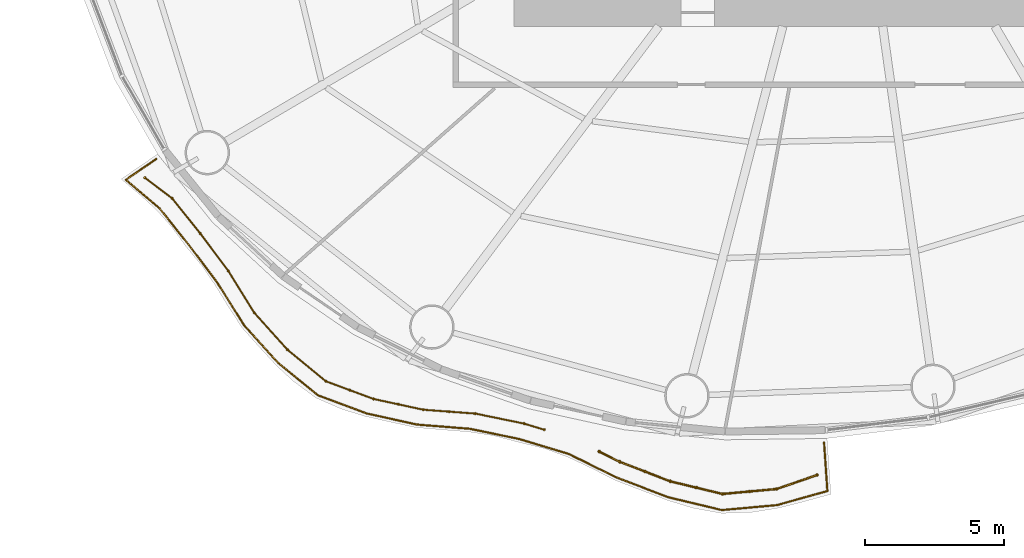
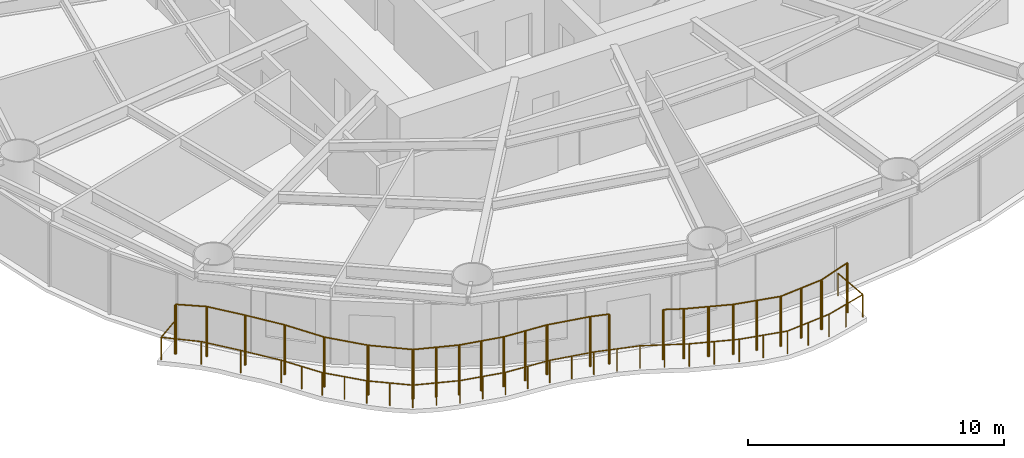
# One storey, part 11 of 16: 3 railings.
"""IFC4 building model written with IfcOpenShell, lengths in metres."""

from ifc_helpers import new_model, si_unit, direction, frame, origin, origin_2d, place, context, subcontext, project, spatial, circle, extrude, material, type_object, element, save


model = new_model("IFC4")

# Units and contexts
model_context = context("Model", 3, precision=1e-05, world=origin(), true_north=direction((0.0, 1.0)))
body_context = subcontext(model_context, "Body", "Model", "MODEL_VIEW")
ifc_project = project(units=[si_unit("LENGTHUNIT", "METRE"), si_unit("AREAUNIT", "SQUARE_METRE"), si_unit("VOLUMEUNIT", "CUBIC_METRE"), si_unit("PLANEANGLEUNIT", "RADIAN"), si_unit("MASSUNIT", "GRAM", prefix="KILO")], contexts=[model_context])

# Site, building, storey
site_placement = place(None, origin())
site = spatial("IfcSite", under=ifc_project, at=site_placement, CompositionType="ELEMENT")
building_placement = place(site_placement, origin())
building = spatial("IfcBuilding", under=site, at=building_placement, Name="Vermilion Reach Broadcast Tower", CompositionType="ELEMENT")
storey_placement = place(building_placement, frame((0.0, 0.0, 99.39990234375)))
storey = spatial("IfcBuildingStorey", under=building, at=storey_placement, Name="L22", CompositionType="ELEMENT", Elevation=99.39990234375)

# Railings
ifc_material_1 = material(Name="Terracotta baguette", Category="masonry")
railing_type_1 = type_object("IfcRailingType", Name="BAGUETTE SCREEN", PredefinedType="USERDEFINED", material=ifc_material_1)
railing_1_placement = place(storey_placement, frame((-31.285888671875, -14.45166015625, 0.0)))
element("IfcRailing", 1, at=railing_1_placement, inside=storey, type_object=railing_type_1, Name="Baguette screen L22 group 3 part 1", ObjectType="BAGUETTE SCREEN", PredefinedType="USERDEFINED", context=body_context, shape_type="SweptSolid", body=[
    extrude(circle(Radius=0.030029296875, at=origin_2d()), frame((0.0, 0.0, 2.369873046875), z_axis=(0.797512365612, -0.603302599609, 0.0), x_axis=(0.603302599609, 0.797512365612, 0.0)), (0.0, 0.0, 1.0), 1.228271484375),
    extrude(circle(Radius=0.030029296875, at=origin_2d()), frame((0.9794921875, -0.740966796875, 2.369873046875), z_axis=(0.624897557881, -0.780706758107, 0.0), x_axis=(0.780706758107, 0.624897557881, 0.0)), (0.0, 0.0, 1.0), 1.616943359375),
    extrude(circle(Radius=0.030029296875, at=origin_2d()), frame((1.989990234375, -2.00341796875, 2.369873046875), z_axis=(0.599348240672, -0.800488404915, 0.0), x_axis=(0.800488404915, 0.599348240672, 0.0)), (0.0, 0.0, 1.0), 1.6787109375),
    extrude(circle(Radius=0.030029296875, at=origin_2d()), frame((2.99609375, -3.34716796875, 2.369873046875), z_axis=(0.526620641137, -0.850100406028, 0.0), x_axis=(0.850100406028, 0.526620641137, 0.0)), (0.0, 0.0, 1.0), 1.76904296875),
    extrude(circle(Radius=0.030029296875, at=origin_2d()), frame((3.927734375, -4.85107421875, 2.369873046875), z_axis=(0.668483480458, -0.743726990471, 0.0), x_axis=(0.743726990471, 0.668483480458, 0.0)), (0.0, 0.0, 1.0), 1.794189453125),
    extrude(circle(Radius=0.030029296875, at=origin_2d()), frame((5.127197265625, -6.185546875, 2.369873046875), z_axis=(0.772364349065, -0.635179748018, 0.0), x_axis=(0.635179748018, 0.772364349065, 0.0)), (0.0, 0.0, 1.0), 1.784912109375),
    extrude(circle(Radius=0.030029296875, at=origin_2d()), frame((6.505859375, -7.3193359375, 2.369873046875), z_axis=(0.937592833551, -0.347735069375, 0.0), x_axis=(0.347735069375, 0.937592833551, 0.0)), (0.0, 0.0, 1.0), 1.833251953125),
    extrude(circle(Radius=0.030029296875, at=origin_2d()), frame((8.224609375, -7.956787109375, 2.369873046875), z_axis=(0.977349350392, -0.211632339892, 0.0), x_axis=(0.211632339892, 0.977349350392, 0.0)), (0.0, 0.0, 1.0), 1.830810546875),
    extrude(circle(Radius=0.030029296875, at=origin_2d()), frame((10.013916015625, -8.34423828125, 2.369873046875), z_axis=(0.997251800268, -0.074086752271, 0.0), x_axis=(0.074086752271, 0.997251800268, 0.0)), (0.0, 0.0, 1.0), 1.881591796875),
    extrude(circle(Radius=0.030029296875, at=origin_2d()), frame((11.890380859375, -8.483642578125, 2.369873046875), z_axis=(0.97952456764, -0.20132466662, 0.0), x_axis=(0.20132466662, 0.97952456764, 0.0)), (0.0, 0.0, 1.0), 1.783935546875),
    extrude(circle(Radius=0.030029296875, at=origin_2d()), frame((13.6376953125, -8.8427734375, 2.369873046875), z_axis=(0.956770807523, -0.290842950529, 0.0), x_axis=(0.290842950529, 0.956770807523, 0.0)), (0.0, 0.0, 1.0), 0.76220703125),
    extrude(circle(Radius=0.050048828125, at=origin_2d()), origin(), (0.0, 0.0, 1.0), 2.33984375),
    extrude(circle(Radius=0.050048828125, at=origin_2d()), frame((0.9794921875, -0.740966796875, 0.0)), (0.0, 0.0, 1.0), 2.33984375),
    extrude(circle(Radius=0.050048828125, at=origin_2d()), frame((1.989990234375, -2.00341796875, 0.0)), (0.0, 0.0, 1.0), 2.33984375),
    extrude(circle(Radius=0.050048828125, at=origin_2d()), frame((2.99609375, -3.34716796875, 0.0)), (0.0, 0.0, 1.0), 2.33984375),
    extrude(circle(Radius=0.050048828125, at=origin_2d()), frame((3.927734375, -4.85107421875, 0.0)), (0.0, 0.0, 1.0), 2.33984375),
    extrude(circle(Radius=0.050048828125, at=origin_2d()), frame((5.127197265625, -6.185546875, 0.0)), (0.0, 0.0, 1.0), 2.33984375),
    extrude(circle(Radius=0.050048828125, at=origin_2d()), frame((6.505859375, -7.3193359375, 0.0)), (0.0, 0.0, 1.0), 2.33984375),
    extrude(circle(Radius=0.050048828125, at=origin_2d()), frame((7.365234375, -7.63818359375, 0.0)), (0.0, 0.0, 1.0), 2.33984375),
    extrude(circle(Radius=0.050048828125, at=origin_2d()), frame((8.224609375, -7.956787109375, 0.0)), (0.0, 0.0, 1.0), 2.33984375),
    extrude(circle(Radius=0.050048828125, at=origin_2d()), frame((9.119140625, -8.150390625, 0.0)), (0.0, 0.0, 1.0), 2.33984375),
    extrude(circle(Radius=0.050048828125, at=origin_2d()), frame((10.013916015625, -8.34423828125, 0.0)), (0.0, 0.0, 1.0), 2.33984375),
    extrude(circle(Radius=0.050048828125, at=origin_2d()), frame((10.9521484375, -8.4140625, 0.0)), (0.0, 0.0, 1.0), 2.33984375),
    extrude(circle(Radius=0.050048828125, at=origin_2d()), frame((11.890380859375, -8.483642578125, 0.0)), (0.0, 0.0, 1.0), 2.33984375),
    extrude(circle(Radius=0.050048828125, at=origin_2d()), frame((13.6376953125, -8.8427734375, 0.0)), (0.0, 0.0, 1.0), 2.33984375),
    extrude(circle(Radius=0.050048828125, at=origin_2d()), frame((14.366943359375, -9.064453125, 0.0)), (0.0, 0.0, 1.0), 2.33984375),
])
railing_2_placement = place(storey_placement, frame((-14.94189453125, -24.303955078125, 0.0)))
element("IfcRailing", 2, at=railing_2_placement, inside=storey, type_object=railing_type_1, Name="Baguette screen L22 group 3 part 2", ObjectType="BAGUETTE SCREEN", PredefinedType="USERDEFINED", context=body_context, shape_type="SweptSolid", body=[
    extrude(circle(Radius=0.030029296875, at=origin_2d()), frame((0.0, 0.0, 2.369873046875), z_axis=(0.895620543356, -0.444818887098, 0.0), x_axis=(0.444818887098, 0.895620543356, 0.0)), (0.0, 0.0, 1.0), 0.816162109375),
    extrude(circle(Radius=0.030029296875, at=origin_2d()), frame((0.73095703125, -0.363037109375, 2.369873046875), z_axis=(0.932756988934, -0.360505755288, 0.0), x_axis=(0.360505755288, 0.932756988934, 0.0)), (0.0, 0.0, 1.0), 1.94970703125),
    extrude(circle(Radius=0.030029296875, at=origin_2d()), frame((2.549560546875, -1.06591796875, 2.369873046875), z_axis=(0.971900739941, -0.235391061221, 0.0), x_axis=(0.235391061221, 0.971900739941, 0.0)), (0.0, 0.0, 1.0), 1.939453125),
    extrude(circle(Radius=0.030029296875, at=origin_2d()), frame((4.4345703125, -1.5224609375, 2.369873046875), z_axis=(0.995829535923, 0.09123341155, 0.0), x_axis=(-0.09123341155, 0.995829535923, 0.0)), (0.0, 0.0, 1.0), 1.9560546875),
    extrude(circle(Radius=0.030029296875, at=origin_2d()), frame((6.382568359375, -1.343994140625, 2.369873046875), z_axis=(0.945366241136, 0.326010230086, 0.0), x_axis=(-0.326010230086, 0.945366241136, 0.0)), (0.0, 0.0, 1.0), 1.539794921875),
    extrude(circle(Radius=0.050048828125, at=origin_2d()), origin(), (0.0, 0.0, 1.0), 2.33984375),
    extrude(circle(Radius=0.050048828125, at=origin_2d()), frame((0.73095703125, -0.363037109375, 0.0)), (0.0, 0.0, 1.0), 2.33984375),
    extrude(circle(Radius=0.050048828125, at=origin_2d()), frame((1.64013671875, -0.71435546875, 0.0)), (0.0, 0.0, 1.0), 2.33984375),
    extrude(circle(Radius=0.050048828125, at=origin_2d()), frame((2.549560546875, -1.06591796875, 0.0)), (0.0, 0.0, 1.0), 2.33984375),
    extrude(circle(Radius=0.050048828125, at=origin_2d()), frame((3.4921875, -1.294189453125, 0.0)), (0.0, 0.0, 1.0), 2.33984375),
    extrude(circle(Radius=0.050048828125, at=origin_2d()), frame((4.4345703125, -1.5224609375, 0.0)), (0.0, 0.0, 1.0), 2.33984375),
    extrude(circle(Radius=0.050048828125, at=origin_2d()), frame((5.40869140625, -1.43310546875, 0.0)), (0.0, 0.0, 1.0), 2.33984375),
    extrude(circle(Radius=0.050048828125, at=origin_2d()), frame((6.382568359375, -1.343994140625, 0.0)), (0.0, 0.0, 1.0), 2.33984375),
    extrude(circle(Radius=0.050048828125, at=origin_2d()), frame((7.838134765625, -0.842041015625, 0.0)), (0.0, 0.0, 1.0), 2.33984375),
])
ifc_material_2 = material(Name="Stainless steel 316 balustrade", Category="steel")
railing_type_2 = type_object("IfcRailingType", Name="Balcony guard 1100", PredefinedType="BALUSTRADE", material=ifc_material_2)
railing_3_placement = place(storey_placement, frame((-30.88134765625, -13.77587890625, 0.0)))
element("IfcRailing", 3, at=railing_3_placement, inside=storey, type_object=railing_type_2, Name="Balcony guard L22 group 3", PredefinedType="BALUSTRADE", context=body_context, shape_type="SweptSolid", body=[
    extrude(circle(Radius=0.02490234375, at=origin_2d()), frame((0.0, 0.0, 1.0751953125), z_axis=(-0.825134974686, -0.564935636644, 0.0), x_axis=(0.564935636644, -0.825134974686, 0.0)), (0.0, 0.0, 1.0), 1.321044921875),
    extrude(circle(Radius=0.02490234375, at=origin_2d()), frame((-1.090087890625, -0.746337890625, 1.0751953125), z_axis=(0.761145221726, -0.648581491752, 0.0), x_axis=(0.648581491752, 0.761145221726, 0.0)), (0.0, 0.0, 1.0), 1.59423828125),
    extrude(circle(Radius=0.02490234375, at=origin_2d()), frame((0.123291015625, -1.7802734375, 1.0751953125), z_axis=(0.625591340259, -0.780150930906, 0.0), x_axis=(0.780150930906, 0.625591340259, 0.0)), (0.0, 0.0, 1.0), 1.66015625),
    extrude(circle(Radius=0.02490234375, at=origin_2d()), frame((1.161865234375, -3.075439453125, 1.0751953125), z_axis=(0.602289272179, -0.798277916905, 0.0), x_axis=(0.798277916905, 0.602289272179, 0.0)), (0.0, 0.0, 1.0), 1.721435546875),
    extrude(circle(Radius=0.02490234375, at=origin_2d()), frame((2.19873046875, -4.44970703125, 1.0751953125), z_axis=(0.532447998467, -0.846462715616, 0.0), x_axis=(0.846462715616, 0.532447998467, 0.0)), (0.0, 0.0, 1.0), 1.808349609375),
    extrude(circle(Radius=0.02490234375, at=origin_2d()), frame((3.16162109375, -5.98046875, 1.0751953125), z_axis=(0.671804751863, -0.740728273643, 0.0), x_axis=(0.740728273643, 0.671804751863, 0.0)), (0.0, 0.0, 1.0), 1.8349609375),
    extrude(circle(Radius=0.02490234375, at=origin_2d()), frame((4.394287109375, -7.339599609375, 1.0751953125), z_axis=(0.774005011115, -0.633179471216, 0.0), x_axis=(0.633179471216, 0.774005011115, 0.0)), (0.0, 0.0, 1.0), 1.82373046875),
    extrude(circle(Radius=0.02490234375, at=origin_2d()), frame((5.805908203125, -8.494384765625, 1.0751953125), z_axis=(0.936580853075, -0.350451573905, 0.0), x_axis=(0.350451573905, 0.936580853075, 0.0)), (0.0, 0.0, 1.0), 1.871826171875),
    extrude(circle(Radius=0.02490234375, at=origin_2d()), frame((7.55908203125, -9.150390625, 1.0751953125), z_axis=(0.976395796615, -0.215989000537, 0.0), x_axis=(0.215989000537, 0.976395796615, 0.0)), (0.0, 0.0, 1.0), 1.867431640625),
    extrude(circle(Radius=0.02490234375, at=origin_2d()), frame((9.38232421875, -9.5537109375, 1.0751953125), z_axis=(0.996816898123, -0.079724974859, 0.0), x_axis=(0.079724974859, 0.996816898123, 0.0)), (0.0, 0.0, 1.0), 1.9169921875),
    extrude(circle(Radius=0.02490234375, at=origin_2d()), frame((11.293212890625, -9.70654296875, 1.0751953125), z_axis=(0.979114183992, -0.203311127844, 0.0), x_axis=(0.203311127844, 0.979114183992, 0.0)), (0.0, 0.0, 1.0), 1.8193359375),
    extrude(circle(Radius=0.02490234375, at=origin_2d()), frame((13.074462890625, -10.076416015625, 1.0751953125), z_axis=(0.95700886473, -0.290058671356, 0.0), x_axis=(0.290058671356, 0.95700886473, 0.0)), (0.0, 0.0, 1.0), 1.85009765625),
    extrude(circle(Radius=0.02490234375, at=origin_2d()), frame((14.844970703125, -10.613037109375, 1.0751953125), z_axis=(0.897738493192, -0.44052877073, 0.0), x_axis=(0.44052877073, 0.897738493192, 0.0)), (0.0, 0.0, 1.0), 1.931884765625),
    extrude(circle(Radius=0.02490234375, at=origin_2d()), frame((16.579345703125, -11.464111328125, 1.0751953125), z_axis=(0.934237785108, -0.356650754768, 0.0), x_axis=(0.356650754768, 0.934237785108, 0.0)), (0.0, 0.0, 1.0), 1.982421875),
    extrude(circle(Radius=0.02490234375, at=origin_2d()), frame((18.431396484375, -12.171142578125, 1.0751953125), z_axis=(0.972561232724, -0.232647047268, 0.0), x_axis=(0.232647047268, 0.972561232724, 0.0)), (0.0, 0.0, 1.0), 1.971923828125),
    extrude(circle(Radius=0.02490234375, at=origin_2d()), frame((20.34912109375, -12.6298828125, 1.0751953125), z_axis=(0.995987251871, 0.089495218367, 0.0), x_axis=(-0.089495218367, 0.995987251871, 0.0)), (0.0, 0.0, 1.0), 1.98876953125),
    extrude(circle(Radius=0.02490234375, at=origin_2d()), frame((22.329833984375, -12.451904296875, 1.0751953125), z_axis=(0.963142528514, 0.268991579363, 0.0), x_axis=(-0.268991579363, 0.963142528514, 0.0)), (0.0, 0.0, 1.0), 1.886962890625),
    extrude(circle(Radius=0.02490234375, at=origin_2d()), frame((24.147216796875, -11.9443359375, 1.0751953125), z_axis=(-0.068321599017, 0.997663349586, 0.0), x_axis=(-0.997663349586, -0.068321599017, 0.0)), (0.0, 0.0, 1.0), 1.743896484375),
    extrude(circle(Radius=0.02490234375, at=origin_2d()), origin(), (0.0, 0.0, 1.0), 1.050048828125),
    extrude(circle(Radius=0.02490234375, at=origin_2d()), frame((-1.090087890625, -0.746337890625, 0.0)), (0.0, 0.0, 1.0), 1.050048828125),
    extrude(circle(Radius=0.02490234375, at=origin_2d()), frame((0.123291015625, -1.7802734375, 0.0)), (0.0, 0.0, 1.0), 1.050048828125),
    extrude(circle(Radius=0.02490234375, at=origin_2d()), frame((1.161865234375, -3.075439453125, 0.0)), (0.0, 0.0, 1.0), 1.050048828125),
    extrude(circle(Radius=0.02490234375, at=origin_2d()), frame((2.19873046875, -4.44970703125, 0.0)), (0.0, 0.0, 1.0), 1.050048828125),
    extrude(circle(Radius=0.02490234375, at=origin_2d()), frame((2.68017578125, -5.215087890625, 0.0)), (0.0, 0.0, 1.0), 1.050048828125),
    extrude(circle(Radius=0.02490234375, at=origin_2d()), frame((3.16162109375, -5.98046875, 0.0)), (0.0, 0.0, 1.0), 1.050048828125),
    extrude(circle(Radius=0.02490234375, at=origin_2d()), frame((3.77783203125, -6.66015625, 0.0)), (0.0, 0.0, 1.0), 1.050048828125),
    extrude(circle(Radius=0.02490234375, at=origin_2d()), frame((4.394287109375, -7.339599609375, 0.0)), (0.0, 0.0, 1.0), 1.050048828125),
    extrude(circle(Radius=0.02490234375, at=origin_2d()), frame((5.10009765625, -7.9169921875, 0.0)), (0.0, 0.0, 1.0), 1.050048828125),
    extrude(circle(Radius=0.02490234375, at=origin_2d()), frame((5.805908203125, -8.494384765625, 0.0)), (0.0, 0.0, 1.0), 1.050048828125),
    extrude(circle(Radius=0.02490234375, at=origin_2d()), frame((6.6826171875, -8.822265625, 0.0)), (0.0, 0.0, 1.0), 1.050048828125),
    extrude(circle(Radius=0.02490234375, at=origin_2d()), frame((7.55908203125, -9.150390625, 0.0)), (0.0, 0.0, 1.0), 1.050048828125),
    extrude(circle(Radius=0.02490234375, at=origin_2d()), frame((8.470703125, -9.35205078125, 0.0)), (0.0, 0.0, 1.0), 1.050048828125),
    extrude(circle(Radius=0.02490234375, at=origin_2d()), frame((9.38232421875, -9.5537109375, 0.0)), (0.0, 0.0, 1.0), 1.050048828125),
    extrude(circle(Radius=0.02490234375, at=origin_2d()), frame((10.337890625, -9.630126953125, 0.0)), (0.0, 0.0, 1.0), 1.050048828125),
    extrude(circle(Radius=0.02490234375, at=origin_2d()), frame((11.293212890625, -9.70654296875, 0.0)), (0.0, 0.0, 1.0), 1.050048828125),
    extrude(circle(Radius=0.02490234375, at=origin_2d()), frame((12.183837890625, -9.8916015625, 0.0)), (0.0, 0.0, 1.0), 1.050048828125),
    extrude(circle(Radius=0.02490234375, at=origin_2d()), frame((13.074462890625, -10.076416015625, 0.0)), (0.0, 0.0, 1.0), 1.050048828125),
    extrude(circle(Radius=0.02490234375, at=origin_2d()), frame((13.959716796875, -10.3447265625, 0.0)), (0.0, 0.0, 1.0), 1.050048828125),
    extrude(circle(Radius=0.02490234375, at=origin_2d()), frame((14.844970703125, -10.613037109375, 0.0)), (0.0, 0.0, 1.0), 1.050048828125),
    extrude(circle(Radius=0.02490234375, at=origin_2d()), frame((15.712158203125, -11.03857421875, 0.0)), (0.0, 0.0, 1.0), 1.050048828125),
    extrude(circle(Radius=0.02490234375, at=origin_2d()), frame((16.579345703125, -11.464111328125, 0.0)), (0.0, 0.0, 1.0), 1.050048828125),
    extrude(circle(Radius=0.02490234375, at=origin_2d()), frame((17.50537109375, -11.817626953125, 0.0)), (0.0, 0.0, 1.0), 1.050048828125),
    extrude(circle(Radius=0.02490234375, at=origin_2d()), frame((18.431396484375, -12.171142578125, 0.0)), (0.0, 0.0, 1.0), 1.050048828125),
    extrude(circle(Radius=0.02490234375, at=origin_2d()), frame((19.39013671875, -12.400390625, 0.0)), (0.0, 0.0, 1.0), 1.050048828125),
    extrude(circle(Radius=0.02490234375, at=origin_2d()), frame((20.34912109375, -12.6298828125, 0.0)), (0.0, 0.0, 1.0), 1.050048828125),
    extrude(circle(Radius=0.02490234375, at=origin_2d()), frame((21.33935546875, -12.541015625, 0.0)), (0.0, 0.0, 1.0), 1.050048828125),
    extrude(circle(Radius=0.02490234375, at=origin_2d()), frame((22.329833984375, -12.451904296875, 0.0)), (0.0, 0.0, 1.0), 1.050048828125),
    extrude(circle(Radius=0.02490234375, at=origin_2d()), frame((23.238525390625, -12.1982421875, 0.0)), (0.0, 0.0, 1.0), 1.050048828125),
    extrude(circle(Radius=0.02490234375, at=origin_2d()), frame((24.147216796875, -11.9443359375, 0.0)), (0.0, 0.0, 1.0), 1.050048828125),
    extrude(circle(Radius=0.02490234375, at=origin_2d()), frame((24.028076171875, -10.20458984375, 0.0)), (0.0, 0.0, 1.0), 1.050048828125),
])

save(model, "model.ifc")
